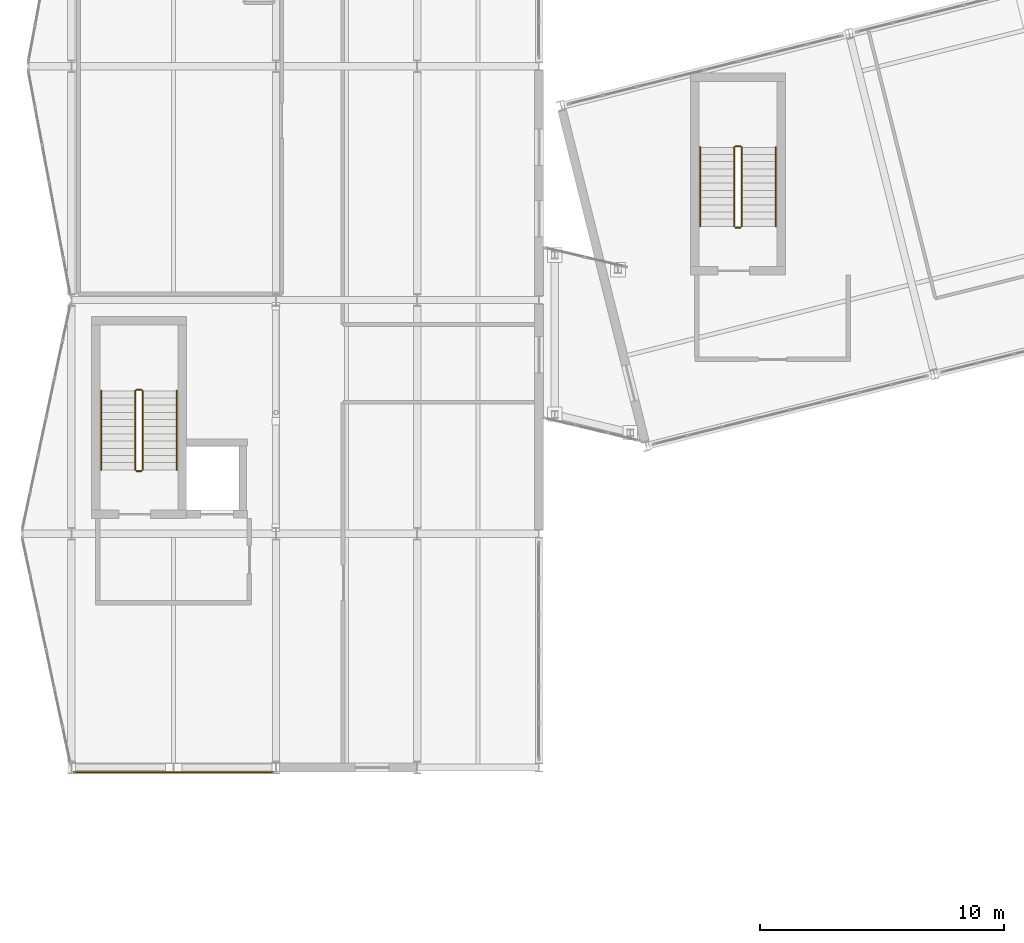
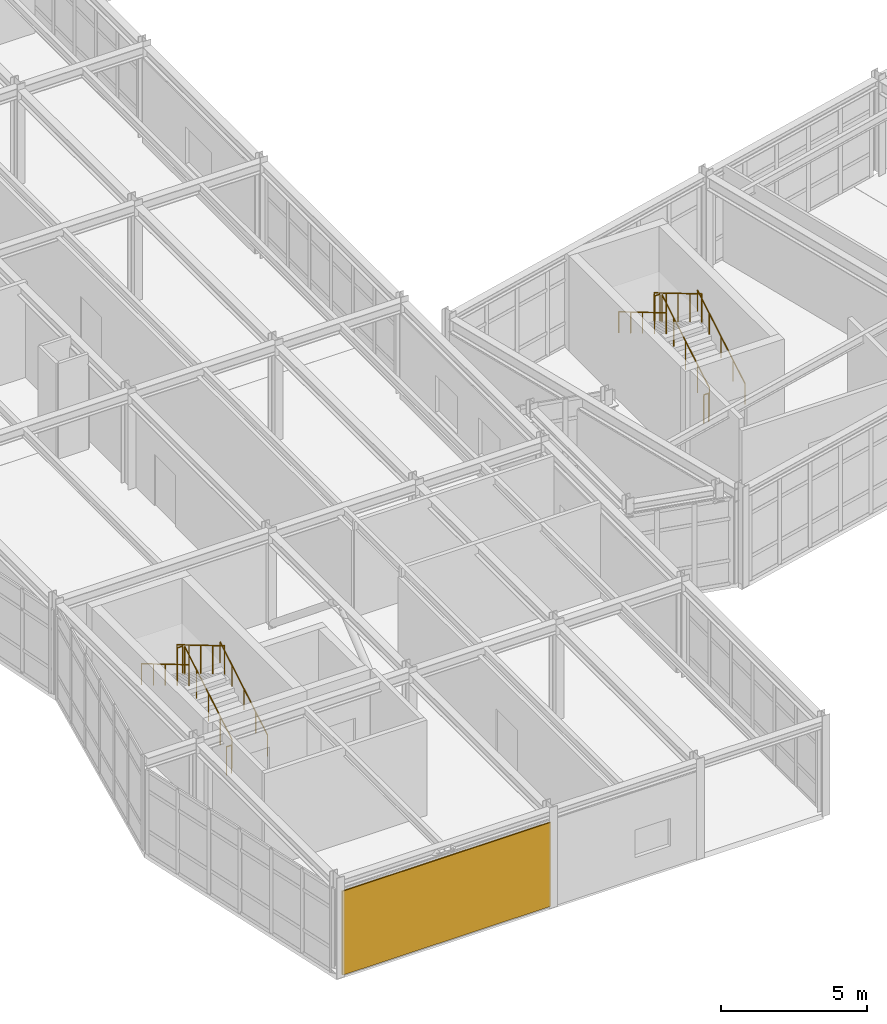
# One storey, part 72 of 76: 12 railings, 1 covering.
"""IFC4 building model written with IfcOpenShell, lengths in metres."""

import ifcopenshell
import ifcopenshell.guid

model = None  # the IFC model being written
_history = None  # IfcOwnerHistory: only IFC2X3 demands one
_inside = {}  # id of a spatial element -> (the spatial element, [elements in it])
_under = {}  # id of a project, library or spatial element -> (it, [spatial elements below it])
_declared = {}  # id of a project -> (the project, [libraries it declares])
_typed = {}  # id of a type object -> (the type object, [elements of that type])
_made_of = {}  # id of a material, layer set ... -> (it, [elements and type objects made of it])


def new_model(schema):
    """Start an empty IFC model of exactly this schema.

    Asked for "IFC4X3", IfcOpenShell would pick the latest addendum, in which some entities
    have other attributes; the version numbers below select the first issue.
    IFC2X3 requires an IfcOwnerHistory on every rooted entity: one is made here for all.
    """
    global model, _history
    if schema == "IFC4X3":
        model = ifcopenshell.file(schema_version=(4, 3, 0, 0))
    else:
        model = ifcopenshell.file(schema=schema)
    _inside.clear()
    _under.clear()
    _declared.clear()
    _typed.clear()
    _made_of.clear()
    _history = None
    if model.schema == "IFC2X3":
        org = make("IfcOrganization", Name="unknown")
        user = make(
            "IfcPersonAndOrganization",
            ThePerson=make("IfcPerson", FamilyName="unknown"),
            TheOrganization=org,
        )
        app = make(
            "IfcApplication",
            ApplicationDeveloper=org,
            Version="unknown",
            ApplicationFullName="unknown",
            ApplicationIdentifier="unknown",
        )
        _history = make(
            "IfcOwnerHistory",
            OwningUser=user,
            OwningApplication=app,
            ChangeAction="ADDED",
            CreationDate=0,
        )
    return model


def make(cls, **values):
    """One entity of the class cls with the attributes given. An attribute that is None is left unset."""
    return model.create_entity(
        cls, **{name: value for name, value in values.items() if value is not None}
    )


def rooted(cls, **values):
    """An entity with a GlobalId (a new one), such as an element, a storey or a relation."""
    return make(cls, GlobalId=ifcopenshell.guid.new(), OwnerHistory=_history, **values)


def si_unit(unit_type, name, prefix=None):
    """IfcSIUnit, for example si_unit("LENGTHUNIT", "METRE", prefix="MILLI")."""
    return make("IfcSIUnit", UnitType=unit_type, Prefix=prefix, Name=name)


def assignment(units):
    """IfcUnitAssignment: the units of a project."""
    return None if units is None else make("IfcUnitAssignment", Units=units)


def point(xyz):
    """IfcCartesianPoint."""
    return None if xyz is None else make("IfcCartesianPoint", Coordinates=xyz)


def direction(xyz):
    """IfcDirection."""
    return None if xyz is None else make("IfcDirection", DirectionRatios=xyz)


def frame(location, z_axis=None, x_axis=None):
    """IfcAxis2Placement3D, a coordinate frame: its origin and axes. An axis left out is left unset."""
    return make(
        "IfcAxis2Placement3D",
        Location=point(location),
        Axis=direction(z_axis),
        RefDirection=direction(x_axis),
    )


def frame_2d(location, x_axis=None):
    """IfcAxis2Placement2D, a coordinate frame in the plane: its origin and x axis."""
    return make(
        "IfcAxis2Placement2D", Location=point(location), RefDirection=direction(x_axis)
    )


def origin():
    """The frame at (0, 0, 0) with its axes left unset."""
    return frame((0.0, 0.0, 0.0))


def origin_2d():
    """The frame at (0, 0) in the plane with its x axis left unset."""
    return frame_2d((0.0, 0.0))


def place(relative_to, where):
    """IfcLocalPlacement: puts the frame where relative to a parent placement (None: the world)."""
    return make(
        "IfcLocalPlacement", PlacementRelTo=relative_to, RelativePlacement=where
    )


def context(
    kind, dimensions, precision=None, world=None, true_north=None, identifier=None
):
    """IfcGeometricRepresentationContext, for example the 3D "Model" context."""
    return make(
        "IfcGeometricRepresentationContext",
        ContextIdentifier=identifier,
        ContextType=kind,
        CoordinateSpaceDimension=dimensions,
        Precision=precision,
        WorldCoordinateSystem=world,
        TrueNorth=true_north,
    )


def subcontext(parent, identifier, kind, view, scale=None):
    """IfcGeometricRepresentationSubContext, for example "Body" below "Model"."""
    return make(
        "IfcGeometricRepresentationSubContext",
        ContextIdentifier=identifier,
        ContextType=kind,
        ParentContext=parent,
        TargetScale=scale,
        TargetView=view,
    )


def project(units=None, contexts=None):
    """IfcProject with its units and contexts."""
    return rooted(
        "IfcProject",
        Name="project",
        RepresentationContexts=contexts,
        UnitsInContext=assignment(units),
    )


def spatial(cls, under=None, at=None, **own):
    """A site, building, storey or space (cls), placed at a placement, below another one or the project."""
    s = rooted(cls, ObjectPlacement=at, **own)
    if under is not None:
        _under.setdefault(under.id(), (under, []))[1].append(s)
    return s


def profile(cls, at=None, kind="AREA", **sizes):
    """A parametric profile (cls). Its sizes go by their IFC names, for example OverallWidth=200.0."""
    return make(cls, ProfileType=kind, Position=at, **sizes)


def rectangle(**sizes):
    """IfcRectangleProfileDef."""
    return profile("IfcRectangleProfileDef", **sizes)


def circle(**sizes):
    """IfcCircleProfileDef."""
    return profile("IfcCircleProfileDef", **sizes)


def extrude(swept, where, along, depth):
    """IfcExtrudedAreaSolid: the profile swept, set in the frame where, extruded along a direction by depth."""
    return make(
        "IfcExtrudedAreaSolid",
        SweptArea=swept,
        Position=where,
        ExtrudedDirection=direction(along),
        Depth=depth,
    )


def shape(context_of_items, identifier, shape_type, items):
    """IfcShapeRepresentation: the items that make up one representation, for example the "Body"."""
    return make(
        "IfcShapeRepresentation",
        ContextOfItems=context_of_items,
        RepresentationIdentifier=identifier,
        RepresentationType=shape_type,
        Items=items,
    )


def material(Name=None, Category=None):
    """IfcMaterial."""
    return make("IfcMaterial", Name=Name, Category=Category)


def layer(
    of_material, thickness, ventilated=None, Name=None, Category=None, Priority=None
):
    """IfcMaterialLayer: one layer of a wall or slab, of a material (None: an air gap)."""
    return make(
        "IfcMaterialLayer",
        Material=of_material,
        LayerThickness=thickness,
        IsVentilated=ventilated,
        Name=Name,
        Category=Category,
        Priority=Priority,
    )


def layer_set(layers, Name=None):
    """IfcMaterialLayerSet."""
    return make("IfcMaterialLayerSet", MaterialLayers=layers, LayerSetName=Name)


def made_of(thing, what):
    """Note that an element or type object is made of a material, layer set ...; save() writes the relation."""
    if what is not None:
        _made_of.setdefault(what.id(), (what, []))[1].append(thing)
    return thing


def type_object(cls, material=None, **own):
    """A type object (cls), such as IfcWallType, which elements share."""
    return made_of(rooted(cls, **own), material)


def element(
    cls,
    number,
    at=None,
    inside=None,
    cuts=None,
    type_object=None,
    material=None,
    context=None,
    identifier="Body",
    shape_type=None,
    held_by="IfcProductDefinitionShape",
    body=None,
    shapes=None,
    **own,
):
    """One element of the class cls, such as IfcWall. Its Tag is "e" and its number.

    at: its placement. inside: the storey or other place that contains it. cuts: it is an
    opening in that element (IfcRelVoidsElement). A single representation is given by context,
    identifier, shape_type and body (its items); several are given by shapes. held_by: the class
    of the entity that holds the representations. save() writes the other relations.
    """
    e = rooted(cls, Tag="e%d" % number, ObjectPlacement=at, **own)
    if body is not None:
        shapes = [shape(context, identifier, shape_type, body)]
    if shapes is not None:
        e.Representation = make(held_by, Representations=shapes)
    if inside is not None:
        _inside.setdefault(inside.id(), (inside, []))[1].append(e)
    if cuts is not None:
        rooted(
            "IfcRelVoidsElement", RelatingBuildingElement=cuts, RelatedOpeningElement=e
        )
    if type_object is not None:
        _typed.setdefault(type_object.id(), (type_object, []))[1].append(e)
    return made_of(e, material)


def aggregate(whole, parts):
    """IfcRelAggregates: a whole, such as a stair, and the parts it consists of."""
    return rooted("IfcRelAggregates", RelatingObject=whole, RelatedObjects=parts)


def save(model, path):
    """Write the relations noted so far, then the file.

    IfcRelAggregates (storeys below a building ...), IfcRelContainedInSpatialStructure (elements
    in a storey), IfcRelDefinesByType, IfcRelAssociatesMaterial and IfcRelDeclares: one each for
    every whole, place, type object, material and project.
    """
    for whole, parts in _under.values():
        aggregate(whole, parts)
    for where, things in _inside.values():
        rooted(
            "IfcRelContainedInSpatialStructure",
            RelatedElements=things,
            RelatingStructure=where,
        )
    for kind, things in _typed.values():
        rooted("IfcRelDefinesByType", RelatedObjects=things, RelatingType=kind)
    for what, things in _made_of.values():
        rooted("IfcRelAssociatesMaterial", RelatedObjects=things, RelatingMaterial=what)
    for by, libraries in _declared.values():
        rooted("IfcRelDeclares", RelatingContext=by, RelatedDefinitions=libraries)
    model.write(path)


model = new_model("IFC4")

# Units and contexts
model_context = context("Model", 3, precision=1e-05, world=origin(), true_north=direction((0.0, 1.0)))
body_context = subcontext(model_context, "Body", "Model", "MODEL_VIEW")
ifc_project = project(units=[si_unit("LENGTHUNIT", "METRE"), si_unit("AREAUNIT", "SQUARE_METRE"), si_unit("VOLUMEUNIT", "CUBIC_METRE"), si_unit("PLANEANGLEUNIT", "RADIAN"), si_unit("MASSUNIT", "GRAM", prefix="KILO")], contexts=[model_context])

# Site, building, storey
site_placement = place(None, origin())
site = spatial("IfcSite", under=ifc_project, at=site_placement, CompositionType="ELEMENT")
building_placement = place(site_placement, origin())
building = spatial("IfcBuilding", under=site, at=building_placement, Name="Nordkorset Police Headquarters", CompositionType="ELEMENT")
storey_placement = place(building_placement, frame((0.0, 0.0, 13.64990234375)))
storey = spatial("IfcBuildingStorey", under=building, at=storey_placement, Name="L03", CompositionType="ELEMENT", Elevation=13.64990234375)

# Covering
ifc_material_1 = material(Name="Nordic granite cladding", Category="masonry")
ifc_layer_1 = layer(ifc_material_1, 0.050048828125, Name="Nordic granite cladding")
ifc_layer_set_1 = layer_set([ifc_layer_1], Name="Nordic granite cladding")
covering_type = type_object("IfcCoveringType", Name="Cladding_Nordic_Granite", PredefinedType="CLADDING", material=ifc_layer_set_1)
covering_placement = place(storey_placement, frame((4.199951171875, 28.594970703125, 0.0751953125), z_axis=(0.0, 0.0, 1.0), x_axis=(1.0, 0.0, 0.0)))
element("IfcCovering", 1, at=covering_placement, inside=storey, type_object=covering_type, Name="Nordic Granite Rainscreen Cladding L03 V3S-0A", PredefinedType="CLADDING", context=body_context, shape_type="SweptSolid", body=[
    extrude(rectangle(XDim=8.2314453125, YDim=0.050048828125, at=origin_2d()), origin(), (0.0, 0.0, 1.0), 3.5),
])

# Railings
ifc_material_2 = material(Name="Steel S355J2", Category="steel")
ifc_layer_2 = layer(ifc_material_2, 0.048095703125, Name="Steel S355J2")
ifc_layer_set_2 = layer_set([ifc_layer_2], Name="Steel S355J2")
railing_type_1 = type_object("IfcRailingType", Name="Railing_Handrail_900", PredefinedType="HANDRAIL", material=ifc_layer_set_2)
railing_1_placement = place(storey_placement, frame((4.324951171875, 41.02490234375, 0.175048828125)))
element("IfcRailing", 2, at=railing_1_placement, inside=storey, type_object=railing_type_1, Name="L03 ST-04 stair handrail 1", PredefinedType="HANDRAIL", context=body_context, shape_type="SweptSolid", body=[
    extrude(circle(Radius=0.02392578125, at=origin_2d()), frame((0.0, 0.0, 0.8759765625), z_axis=(0.0, 0.860057060016, 0.510197857224), x_axis=(-1.0, 0.0, 0.0)), (0.0, 0.0, 1.0), 3.773193359375),
    extrude(circle(Radius=0.02099609375, at=origin_2d()), origin(), (0.0, 0.0, 1.0), 0.851806640625),
    extrude(circle(Radius=0.02099609375, at=origin_2d()), frame((0.0, 0.811279296875, 0.481201171875)), (0.0, 0.0, 1.0), 0.851806640625),
    extrude(circle(Radius=0.02099609375, at=origin_2d()), frame((0.0, 1.62255859375, 0.96240234375)), (0.0, 0.0, 1.0), 0.851806640625),
    extrude(circle(Radius=0.02099609375, at=origin_2d()), frame((0.0, 2.433837890625, 1.44384765625)), (0.0, 0.0, 1.0), 0.851806640625),
    extrude(circle(Radius=0.02099609375, at=origin_2d()), frame((0.0, 3.2451171875, 1.925048828125)), (0.0, 0.0, 1.0), 0.851806640625),
])
railing_2_placement = place(storey_placement, frame((1.22509765625, 44.27001953125, 2.275146484375)))
element("IfcRailing", 3, at=railing_2_placement, inside=storey, type_object=railing_type_1, Name="L03 ST-04 stair handrail 2", PredefinedType="HANDRAIL", context=body_context, shape_type="SweptSolid", body=[
    extrude(circle(Radius=0.02392578125, at=origin_2d()), frame((0.0, 0.0, 0.8759765625), z_axis=(0.0, -0.860057060016, 0.510197857224), x_axis=(1.0, 0.0, 0.0)), (0.0, 0.0, 1.0), 3.773193359375),
    extrude(circle(Radius=0.02099609375, at=origin_2d()), origin(), (0.0, 0.0, 1.0), 0.851806640625),
    extrude(circle(Radius=0.02099609375, at=origin_2d()), frame((0.0, -0.811279296875, 0.481201171875)), (0.0, 0.0, 1.0), 0.851806640625),
    extrude(circle(Radius=0.02099609375, at=origin_2d()), frame((0.0, -1.62255859375, 0.96240234375)), (0.0, 0.0, 1.0), 0.851806640625),
    extrude(circle(Radius=0.02099609375, at=origin_2d()), frame((0.0, -2.433837890625, 1.44384765625)), (0.0, 0.0, 1.0), 0.851806640625),
    extrude(circle(Radius=0.02099609375, at=origin_2d()), frame((0.0, -3.2451171875, 1.925048828125)), (0.0, 0.0, 1.0), 0.851806640625),
])
railing_3_placement = place(storey_placement, frame((28.925048828125, 51.02490234375, 0.175048828125)))
element("IfcRailing", 4, at=railing_3_placement, inside=storey, type_object=railing_type_1, Name="L03 ST-08 stair handrail 1", PredefinedType="HANDRAIL", context=body_context, shape_type="SweptSolid", body=[
    extrude(circle(Radius=0.02392578125, at=origin_2d()), frame((0.0, 0.0, 0.8759765625), z_axis=(0.0, 0.860057060016, 0.510197857224), x_axis=(-1.0, 0.0, 0.0)), (0.0, 0.0, 1.0), 3.773193359375),
    extrude(circle(Radius=0.02099609375, at=origin_2d()), origin(), (0.0, 0.0, 1.0), 0.851806640625),
    extrude(circle(Radius=0.02099609375, at=origin_2d()), frame((0.0, 0.811279296875, 0.481201171875)), (0.0, 0.0, 1.0), 0.851806640625),
    extrude(circle(Radius=0.02099609375, at=origin_2d()), frame((0.0, 1.62255859375, 0.96240234375)), (0.0, 0.0, 1.0), 0.851806640625),
    extrude(circle(Radius=0.02099609375, at=origin_2d()), frame((0.0, 2.433837890625, 1.44384765625)), (0.0, 0.0, 1.0), 0.851806640625),
    extrude(circle(Radius=0.02099609375, at=origin_2d()), frame((0.0, 3.2451171875, 1.925048828125)), (0.0, 0.0, 1.0), 0.851806640625),
])
railing_4_placement = place(storey_placement, frame((25.824951171875, 54.27001953125, 2.275146484375)))
element("IfcRailing", 5, at=railing_4_placement, inside=storey, type_object=railing_type_1, Name="L03 ST-08 stair handrail 2", PredefinedType="HANDRAIL", context=body_context, shape_type="SweptSolid", body=[
    extrude(circle(Radius=0.02392578125, at=origin_2d()), frame((0.0, 0.0, 0.8759765625), z_axis=(0.0, -0.860057060016, 0.510197857224), x_axis=(1.0, 0.0, 0.0)), (0.0, 0.0, 1.0), 3.773193359375),
    extrude(circle(Radius=0.02099609375, at=origin_2d()), origin(), (0.0, 0.0, 1.0), 0.851806640625),
    extrude(circle(Radius=0.02099609375, at=origin_2d()), frame((0.0, -0.811279296875, 0.481201171875)), (0.0, 0.0, 1.0), 0.851806640625),
    extrude(circle(Radius=0.02099609375, at=origin_2d()), frame((0.0, -1.62255859375, 0.96240234375)), (0.0, 0.0, 1.0), 0.851806640625),
    extrude(circle(Radius=0.02099609375, at=origin_2d()), frame((0.0, -2.433837890625, 1.44384765625)), (0.0, 0.0, 1.0), 0.851806640625),
    extrude(circle(Radius=0.02099609375, at=origin_2d()), frame((0.0, -3.2451171875, 1.925048828125)), (0.0, 0.0, 1.0), 0.851806640625),
])
ifc_material_3 = material(Name="Steel S355J2", Category="steel")
ifc_layer_3 = layer(ifc_material_3, 0.050048828125, Name="Steel S355J2")
ifc_layer_set_3 = layer_set([ifc_layer_3], Name="Steel S355J2")
railing_type_2 = type_object("IfcRailingType", Name="Railing_StairGuard_1200", PredefinedType="GUARDRAIL", material=ifc_layer_set_3)
railing_5_placement = place(storey_placement, frame((2.925048828125, 41.02490234375, 0.175048828125)))
element("IfcRailing", 6, at=railing_5_placement, inside=storey, type_object=railing_type_2, Name="L03 ST-04 stair guard 1", PredefinedType="GUARDRAIL", context=body_context, shape_type="SweptSolid", body=[
    extrude(circle(Radius=0.02392578125, at=origin_2d()), frame((0.0, 0.0, 1.17578125), z_axis=(0.0, 0.860057060016, 0.510197857224), x_axis=(-1.0, 0.0, 0.0)), (0.0, 0.0, 1.0), 3.773193359375),
    extrude(circle(Radius=0.02099609375, at=origin_2d()), origin(), (0.0, 0.0, 1.0), 1.15185546875),
    extrude(circle(Radius=0.02099609375, at=origin_2d()), frame((0.0, 0.811279296875, 0.481201171875)), (0.0, 0.0, 1.0), 1.15185546875),
    extrude(circle(Radius=0.02099609375, at=origin_2d()), frame((0.0, 1.62255859375, 0.96240234375)), (0.0, 0.0, 1.0), 1.15185546875),
    extrude(circle(Radius=0.02099609375, at=origin_2d()), frame((0.0, 2.433837890625, 1.44384765625)), (0.0, 0.0, 1.0), 1.15185546875),
    extrude(circle(Radius=0.02099609375, at=origin_2d()), frame((0.0, 3.2451171875, 1.925048828125)), (0.0, 0.0, 1.0), 1.15185546875),
])
railing_6_placement = place(storey_placement, frame((2.875, 44.320068359375, 2.10009765625)))
element("IfcRailing", 7, at=railing_6_placement, inside=storey, type_object=railing_type_2, Name="L03 ST-04 stair guard 2", PredefinedType="GUARDRAIL", context=body_context, shape_type="SweptSolid", body=[
    extrude(circle(Radius=0.02392578125, at=origin_2d()), frame((0.0, 0.0, 1.17578125), z_axis=(-1.0, 0.0, 0.0), x_axis=(0.0, -1.0, 0.0)), (0.0, 0.0, 1.0), 0.199951171875),
    extrude(circle(Radius=0.02099609375, at=origin_2d()), origin(), (0.0, 0.0, 1.0), 1.15185546875),
    extrude(circle(Radius=0.02099609375, at=origin_2d()), frame((-0.199951171875, 0.0, 0.0)), (0.0, 0.0, 1.0), 1.15185546875),
])
railing_7_placement = place(storey_placement, frame((2.625, 44.27001953125, 2.275146484375)))
element("IfcRailing", 8, at=railing_7_placement, inside=storey, type_object=railing_type_2, Name="L03 ST-04 stair guard 3", PredefinedType="GUARDRAIL", context=body_context, shape_type="SweptSolid", body=[
    extrude(circle(Radius=0.02392578125, at=origin_2d()), frame((0.0, 0.0, 1.17578125), z_axis=(0.0, -0.860057060016, 0.510197857224), x_axis=(1.0, 0.0, 0.0)), (0.0, 0.0, 1.0), 3.773193359375),
    extrude(circle(Radius=0.02099609375, at=origin_2d()), origin(), (0.0, 0.0, 1.0), 1.15185546875),
    extrude(circle(Radius=0.02099609375, at=origin_2d()), frame((0.0, -0.811279296875, 0.481201171875)), (0.0, 0.0, 1.0), 1.15185546875),
    extrude(circle(Radius=0.02099609375, at=origin_2d()), frame((0.0, -1.62255859375, 0.96240234375)), (0.0, 0.0, 1.0), 1.15185546875),
    extrude(circle(Radius=0.02099609375, at=origin_2d()), frame((0.0, -2.433837890625, 1.44384765625)), (0.0, 0.0, 1.0), 1.15185546875),
    extrude(circle(Radius=0.02099609375, at=origin_2d()), frame((0.0, -3.2451171875, 1.925048828125)), (0.0, 0.0, 1.0), 1.15185546875),
])
railing_8_placement = place(storey_placement, frame((2.875, 40.97509765625, 0.0)))
element("IfcRailing", 9, at=railing_8_placement, inside=storey, type_object=railing_type_2, Name="L03 ST-04 stair guard 4", PredefinedType="GUARDRAIL", context=body_context, shape_type="SweptSolid", body=[
    extrude(circle(Radius=0.02392578125, at=origin_2d()), frame((0.0, 0.0, 1.17578125), z_axis=(-1.0, 0.0, 0.0), x_axis=(0.0, -1.0, 0.0)), (0.0, 0.0, 1.0), 0.199951171875),
    extrude(circle(Radius=0.02099609375, at=origin_2d()), origin(), (0.0, 0.0, 1.0), 1.15185546875),
    extrude(circle(Radius=0.02099609375, at=origin_2d()), frame((-0.199951171875, 0.0, 0.0)), (0.0, 0.0, 1.0), 1.15185546875),
])
railing_9_placement = place(storey_placement, frame((27.52490234375, 51.02490234375, 0.175048828125)))
element("IfcRailing", 10, at=railing_9_placement, inside=storey, type_object=railing_type_2, Name="L03 ST-08 stair guard 1", PredefinedType="GUARDRAIL", context=body_context, shape_type="SweptSolid", body=[
    extrude(circle(Radius=0.02392578125, at=origin_2d()), frame((0.0, 0.0, 1.17578125), z_axis=(0.0, 0.860057060016, 0.510197857224), x_axis=(-1.0, 0.0, 0.0)), (0.0, 0.0, 1.0), 3.773193359375),
    extrude(circle(Radius=0.02099609375, at=origin_2d()), origin(), (0.0, 0.0, 1.0), 1.15185546875),
    extrude(circle(Radius=0.02099609375, at=origin_2d()), frame((0.0, 0.811279296875, 0.481201171875)), (0.0, 0.0, 1.0), 1.15185546875),
    extrude(circle(Radius=0.02099609375, at=origin_2d()), frame((0.0, 1.62255859375, 0.96240234375)), (0.0, 0.0, 1.0), 1.15185546875),
    extrude(circle(Radius=0.02099609375, at=origin_2d()), frame((0.0, 2.433837890625, 1.44384765625)), (0.0, 0.0, 1.0), 1.15185546875),
    extrude(circle(Radius=0.02099609375, at=origin_2d()), frame((0.0, 3.2451171875, 1.925048828125)), (0.0, 0.0, 1.0), 1.15185546875),
])
railing_10_placement = place(storey_placement, frame((27.47509765625, 54.320068359375, 2.10009765625)))
element("IfcRailing", 11, at=railing_10_placement, inside=storey, type_object=railing_type_2, Name="L03 ST-08 stair guard 2", PredefinedType="GUARDRAIL", context=body_context, shape_type="SweptSolid", body=[
    extrude(circle(Radius=0.02392578125, at=origin_2d()), frame((0.0, 0.0, 1.17578125), z_axis=(-1.0, 0.0, 0.0), x_axis=(0.0, -1.0, 0.0)), (0.0, 0.0, 1.0), 0.2001953125),
    extrude(circle(Radius=0.02099609375, at=origin_2d()), origin(), (0.0, 0.0, 1.0), 1.15185546875),
    extrude(circle(Radius=0.02099609375, at=origin_2d()), frame((-0.2001953125, 0.0, 0.0)), (0.0, 0.0, 1.0), 1.15185546875),
])
railing_11_placement = place(storey_placement, frame((27.22509765625, 54.27001953125, 2.275146484375)))
element("IfcRailing", 12, at=railing_11_placement, inside=storey, type_object=railing_type_2, Name="L03 ST-08 stair guard 3", PredefinedType="GUARDRAIL", context=body_context, shape_type="SweptSolid", body=[
    extrude(circle(Radius=0.02392578125, at=origin_2d()), frame((0.0, 0.0, 1.17578125), z_axis=(0.0, -0.860057060016, 0.510197857224), x_axis=(1.0, 0.0, 0.0)), (0.0, 0.0, 1.0), 3.773193359375),
    extrude(circle(Radius=0.02099609375, at=origin_2d()), origin(), (0.0, 0.0, 1.0), 1.15185546875),
    extrude(circle(Radius=0.02099609375, at=origin_2d()), frame((0.0, -0.811279296875, 0.481201171875)), (0.0, 0.0, 1.0), 1.15185546875),
    extrude(circle(Radius=0.02099609375, at=origin_2d()), frame((0.0, -1.62255859375, 0.96240234375)), (0.0, 0.0, 1.0), 1.15185546875),
    extrude(circle(Radius=0.02099609375, at=origin_2d()), frame((0.0, -2.433837890625, 1.44384765625)), (0.0, 0.0, 1.0), 1.15185546875),
    extrude(circle(Radius=0.02099609375, at=origin_2d()), frame((0.0, -3.2451171875, 1.925048828125)), (0.0, 0.0, 1.0), 1.15185546875),
])
railing_12_placement = place(storey_placement, frame((27.47509765625, 50.97509765625, 0.0)))
element("IfcRailing", 13, at=railing_12_placement, inside=storey, type_object=railing_type_2, Name="L03 ST-08 stair guard 4", PredefinedType="GUARDRAIL", context=body_context, shape_type="SweptSolid", body=[
    extrude(circle(Radius=0.02392578125, at=origin_2d()), frame((0.0, 0.0, 1.17578125), z_axis=(-1.0, 0.0, 0.0), x_axis=(0.0, -1.0, 0.0)), (0.0, 0.0, 1.0), 0.2001953125),
    extrude(circle(Radius=0.02099609375, at=origin_2d()), origin(), (0.0, 0.0, 1.0), 1.15185546875),
    extrude(circle(Radius=0.02099609375, at=origin_2d()), frame((-0.2001953125, 0.0, 0.0)), (0.0, 0.0, 1.0), 1.15185546875),
])

save(model, "model.ifc")
